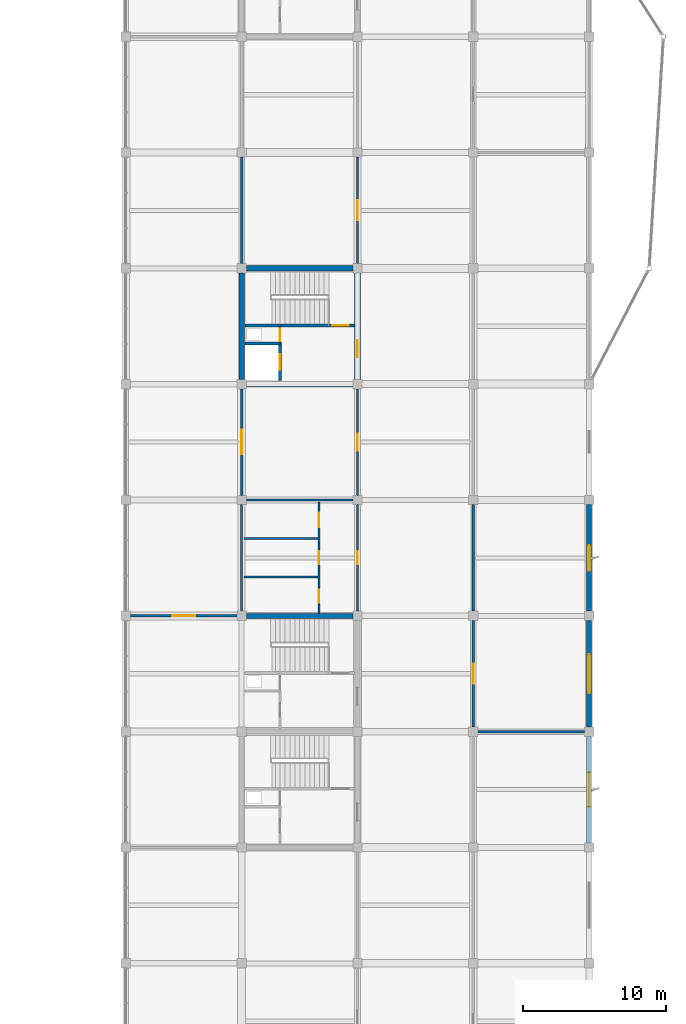
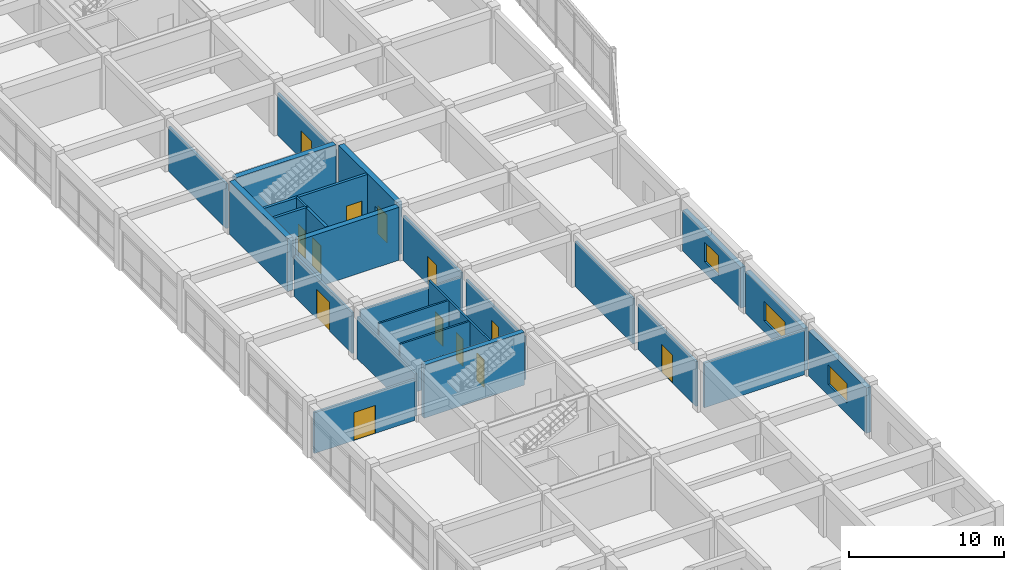
# One storey, part 30 of 40: 26 walls, 13 doors, 3 windows, 16 openings.
"""IFC4 building model written with IfcOpenShell, lengths in metres."""

from ifc_helpers import new_model, si_unit, direction, frame, frame_2d, origin, place, context, subcontext, project, spatial, rectangle, extrude, material, layer, layer_set, type_object, element, fill, save


model = new_model("IFC4")

# Units and contexts
model_context = context("Model", 3, precision=1e-05, world=origin(), true_north=direction((0.0, 1.0)))
body_context = subcontext(model_context, "Body", "Model", "MODEL_VIEW")
ifc_project = project(units=[si_unit("LENGTHUNIT", "METRE"), si_unit("AREAUNIT", "SQUARE_METRE"), si_unit("VOLUMEUNIT", "CUBIC_METRE"), si_unit("PLANEANGLEUNIT", "RADIAN"), si_unit("MASSUNIT", "GRAM", prefix="KILO")], contexts=[model_context])

# Site, building, storey
site_placement = place(None, origin())
site = spatial("IfcSite", under=ifc_project, at=site_placement, CompositionType="ELEMENT")
building_placement = place(site_placement, origin())
building = spatial("IfcBuilding", under=site, at=building_placement, Name="Vaudrelin Polytechnic", CompositionType="ELEMENT")
storey_placement = place(building_placement, frame((0.0, 0.0, 22.949951171875)))
storey = spatial("IfcBuildingStorey", under=building, at=storey_placement, Name="L05", CompositionType="ELEMENT", Elevation=22.949951171875)

# Wall, opening, window
ifc_material_1 = material(Name="Precast concrete 35 MPa with terracotta baguette screen", Category="masonry")
ifc_layer_1 = layer(ifc_material_1, 0.35009765625)
ifc_layer_set_1 = layer_set([ifc_layer_1], Name="Precast concrete 35 MPa with terracotta baguette screen")
wall_type_1 = type_object("IfcWallType", Name="WAL-EW-TERR350", PredefinedType="STANDARD", material=ifc_layer_set_1)
wall_1_placement = place(storey_placement, frame((170.10009765625, 32.722900390625, 0.0), z_axis=(0.0, 0.0, 1.0), x_axis=(0.0, 1.0, 0.0)))
wall_1 = element("IfcWall", 1, at=wall_1_placement, inside=storey, type_object=wall_type_1, Name="Exterior wall L05 E_V4_02", PredefinedType="STANDARD", context=body_context, shape_type="SweptSolid", body=[
    extrude(rectangle(XDim=7.4541015625, YDim=0.35009765625, at=frame_2d((3.72705078125, 0.0))), origin(), (0.0, 0.0, 1.0), 3.56201171875),
])
opening_1_placement = place(wall_1_placement, frame((2.527099609375, 0.0, 0.85009765625)))
opening_1 = element("IfcOpeningElement", 2, at=opening_1_placement, cuts=wall_1, Name="Opening W-L05-E-V4-03", PredefinedType="OPENING", context=body_context, shape_type="SweptSolid", body=[
    extrude(rectangle(XDim=2.39990234375, YDim=1.550048828125, at=frame_2d((1.199951171875, 0.77490234375))), frame((0.0, 0.18505859375, 0.0), z_axis=(0.0, -1.0, 0.0), x_axis=(1.0, 0.0, 0.0)), (0.0, 0.0, 1.0), 0.3701171875),
])
ifc_material_2 = material(Name="Thermally broken aluminium frame with triple low-e glazing", Category="aluminium")
window_type_1 = type_object("IfcWindowType", Name="WIN-WN-21", PartitioningType="SINGLE_PANEL", PredefinedType="WINDOW", material=ifc_material_2)
window_1_placement = place(opening_1_placement, origin())
window_1 = element("IfcWindow", 3, at=window_1_placement, inside=storey, type_object=window_type_1, Name="Facade window L05-E_V4_02", OverallHeight=1.550048828125, OverallWidth=2.39990234375, PartitioningType="SINGLE_PANEL", PredefinedType="WINDOW", context=body_context, shape_type="SweptSolid", body=[
    extrude(rectangle(XDim=2.39990234375, YDim=1.550048828125, at=frame_2d((1.199951171875, 0.77490234375))), frame((0.0, 0.030029296875, 0.0), z_axis=(0.0, -1.0, 0.0), x_axis=(1.0, 0.0, 0.0)), (0.0, 0.0, 1.0), 0.06005859375),
])
fill(opening_1, window_1)

wall_2_placement = place(storey_placement, frame((170.10009765625, 40.822998046875, 0.0), z_axis=(0.0, 0.0, 1.0), x_axis=(0.0, 1.0, 0.0)))
wall_2 = element("IfcWall", 4, at=wall_2_placement, inside=storey, type_object=wall_type_1, Name="Exterior wall L05 E_V4_03", PredefinedType="STANDARD", context=body_context, shape_type="SweptSolid", body=[
    extrude(rectangle(XDim=7.4541015625, YDim=0.35009765625, at=frame_2d((3.72705078125, 0.0))), origin(), (0.0, 0.0, 1.0), 3.31201171875),
])
opening_2_placement = place(wall_2_placement, frame((2.376953125, 0.0, 0.85009765625)))
opening_2 = element("IfcOpeningElement", 5, at=opening_2_placement, cuts=wall_2, Name="Opening W-L05-E-V4-04", PredefinedType="OPENING", context=body_context, shape_type="SweptSolid", body=[
    extrude(rectangle(XDim=2.699951171875, YDim=1.550048828125, at=frame_2d((1.35009765625, 0.77490234375))), frame((0.0, 0.18505859375, 0.0), z_axis=(0.0, -1.0, 0.0), x_axis=(1.0, 0.0, 0.0)), (0.0, 0.0, 1.0), 0.3701171875),
])
window_type_2 = type_object("IfcWindowType", Name="WIN-WN-22", PartitioningType="SINGLE_PANEL", PredefinedType="WINDOW", material=ifc_material_2)
window_2_placement = place(opening_2_placement, origin())
window_2 = element("IfcWindow", 6, at=window_2_placement, inside=storey, type_object=window_type_2, Name="Facade window L05-E_V4_03", OverallHeight=1.550048828125, OverallWidth=2.699951171875, PartitioningType="SINGLE_PANEL", PredefinedType="WINDOW", context=body_context, shape_type="SweptSolid", body=[
    extrude(rectangle(XDim=2.699951171875, YDim=1.550048828125, at=frame_2d((1.35009765625, 0.77490234375))), frame((0.0, 0.030029296875, 0.0), z_axis=(0.0, -1.0, 0.0), x_axis=(1.0, 0.0, 0.0)), (0.0, 0.0, 1.0), 0.06005859375),
])
fill(opening_2, window_2)

wall_3_placement = place(storey_placement, frame((170.10009765625, 48.923095703125, 0.0), z_axis=(0.0, 0.0, 1.0), x_axis=(0.0, 1.0, 0.0)))
wall_3 = element("IfcWall", 7, at=wall_3_placement, inside=storey, type_object=wall_type_1, Name="Exterior wall L05 E_V4_04", PredefinedType="STANDARD", context=body_context, shape_type="SweptSolid", body=[
    extrude(rectangle(XDim=7.453857421875, YDim=0.35009765625, at=frame_2d((3.72705078125, 0.0))), origin(), (0.0, 0.0, 1.0), 3.212158203125),
])
opening_3_placement = place(wall_3_placement, frame((2.826904296875, 0.0, 0.85009765625)))
opening_3 = element("IfcOpeningElement", 8, at=opening_3_placement, cuts=wall_3, Name="Opening W-L05-E-V4-05", PredefinedType="OPENING", context=body_context, shape_type="SweptSolid", body=[
    extrude(rectangle(XDim=1.800048828125, YDim=1.550048828125, at=frame_2d((0.89990234375, 0.77490234375))), frame((0.0, 0.18505859375, 0.0), z_axis=(0.0, -1.0, 0.0), x_axis=(1.0, 0.0, 0.0)), (0.0, 0.0, 1.0), 0.3701171875),
])
window_type_3 = type_object("IfcWindowType", Name="WIN-WN-23", PartitioningType="SINGLE_PANEL", PredefinedType="WINDOW", material=ifc_material_2)
window_3_placement = place(opening_3_placement, origin())
window_3 = element("IfcWindow", 9, at=window_3_placement, inside=storey, type_object=window_type_3, Name="Facade window L05-E_V4_04", OverallHeight=1.550048828125, OverallWidth=1.800048828125, PartitioningType="SINGLE_PANEL", PredefinedType="WINDOW", context=body_context, shape_type="SweptSolid", body=[
    extrude(rectangle(XDim=1.800048828125, YDim=1.550048828125, at=frame_2d((0.89990234375, 0.77490234375))), frame((0.0, 0.030029296875, 0.0), z_axis=(0.0, -1.0, 0.0), x_axis=(1.0, 0.0, 0.0)), (0.0, 0.0, 1.0), 0.06005859375),
])
fill(opening_3, window_3)

# Wall
ifc_material_3 = material(Name="Acoustic double-stud gypsum & mineral-wool partition", Category="gypsum")
ifc_layer_2 = layer(ifc_material_3, 0.179931640625)
ifc_layer_set_2 = layer_set([ifc_layer_2], Name="Acoustic double-stud gypsum & mineral-wool partition")
wall_type_2 = type_object("IfcWallType", Name="WAL-PW-AC180", PredefinedType="PARTITIONING", material=ifc_layer_set_2)
wall_4_placement = place(storey_placement, frame((162.322998046875, 40.5, 0.0), z_axis=(0.0, 0.0, 1.0), x_axis=(1.0, 0.0, 0.0)))
element("IfcWall", 10, at=wall_4_placement, inside=storey, type_object=wall_type_2, Name="Partition L05-014 N", PredefinedType="PARTITIONING", context=body_context, shape_type="SweptSolid", body=[
    extrude(rectangle(XDim=7.4541015625, YDim=0.179931640625, at=frame_2d((3.72705078125, 0.0))), origin(), (0.0, 0.0, 1.0), 3.511962890625),
])

# Wall, opening, door
ifc_material_4 = material(Name="Fire-rated steel-stud gypsum compartment wall", Category="steel")
ifc_layer_3 = layer(ifc_material_4, 0.14990234375)
ifc_layer_set_3 = layer_set([ifc_layer_3], Name="Fire-rated steel-stud gypsum compartment wall")
wall_type_3 = type_object("IfcWallType", Name="WAL-PW-FIRE60", PredefinedType="PARTITIONING", material=ifc_layer_set_3)
wall_5_placement = place(storey_placement, frame((148.47998046875, 67.64990234375, 0.0), z_axis=(0.0, 0.0, 1.0), x_axis=(0.0, 1.0, 0.0)))
wall_5 = element("IfcWall", 11, at=wall_5_placement, inside=storey, type_object=wall_type_3, Name="Core C7 riser enclosure wall L05", PredefinedType="PARTITIONING", context=body_context, shape_type="SweptSolid", body=[
    extrude(rectangle(XDim=1.260009765625, YDim=0.14990234375, at=frame_2d((0.6298828125, 0.0))), origin(), (0.0, 0.0, 1.0), 4.162109375),
])
opening_4_placement = place(wall_5_placement, frame((0.139892578125, 0.0, 0.0)))
opening_4 = element("IfcOpeningElement", 12, at=opening_4_placement, cuts=wall_5, Name="Opening D-L05-131", PredefinedType="OPENING", context=body_context, shape_type="SweptSolid", body=[
    extrude(rectangle(XDim=0.89990234375, YDim=2.14990234375, at=frame_2d((0.449951171875, 1.074951171875))), frame((0.0, 0.0849609375, 0.0), z_axis=(0.0, -1.0, 0.0), x_axis=(1.0, 0.0, 0.0)), (0.0, 0.0, 1.0), 0.169921875),
])
ifc_material_5 = material(Name="Pressed galvanised steel acoustic leaf", Category="steel")
door_type_1 = type_object("IfcDoorType", Name="DOR-ID-RSR1", OperationType="NOTDEFINED", PredefinedType="DOOR", material=ifc_material_5)
door_1_placement = place(opening_4_placement, origin())
door_1 = element("IfcDoor", 13, at=door_1_placement, inside=storey, type_object=door_type_1, Name="Core C7 riser access door L05", OperationType="SINGLE_SWING_RIGHT", OverallHeight=2.14990234375, OverallWidth=0.89990234375, PredefinedType="DOOR", context=body_context, shape_type="SweptSolid", body=[
    extrude(rectangle(XDim=0.89990234375, YDim=2.14990234375, at=frame_2d((0.449951171875, 1.074951171875))), frame((0.0, 0.02490234375, 0.0), z_axis=(0.0, -1.0, 0.0), x_axis=(1.0, 0.0, 0.0)), (0.0, 0.0, 1.0), 0.050048828125),
])
fill(opening_4, door_1)

ifc_material_6 = material(Name="Moisture- and chemical-resistant laboratory partition", Category="gypsum")
ifc_layer_4 = layer(ifc_material_6, 0.159912109375)
ifc_layer_set_4 = layer_set([ifc_layer_4], Name="Moisture- and chemical-resistant laboratory partition")
wall_type_4 = type_object("IfcWallType", Name="WAL-PW-LAB160", PredefinedType="PARTITIONING", material=ifc_layer_set_4)
wall_6_placement = place(storey_placement, frame((138.02294921875, 48.60009765625, 0.0), z_axis=(0.0, 0.0, 1.0), x_axis=(1.0, 0.0, 0.0)))
wall_6 = element("IfcWall", 14, at=wall_6_placement, inside=storey, type_object=wall_type_4, Name="Partition L05-008 N", PredefinedType="PARTITIONING", context=body_context, shape_type="SweptSolid", body=[
    extrude(rectangle(XDim=7.4541015625, YDim=0.159912109375, at=frame_2d((3.72705078125, 0.0))), origin(), (0.0, 0.0, 1.0), 3.212158203125),
])
opening_5_placement = place(wall_6_placement, frame((2.93701171875, 0.0, 0.0)))
opening_5 = element("IfcOpeningElement", 15, at=opening_5_placement, cuts=wall_6, Name="Opening D-L05-546", PredefinedType="OPENING", context=body_context, shape_type="SweptSolid", body=[
    extrude(rectangle(XDim=1.580078125, YDim=2.199951171875, at=frame_2d((0.7900390625, 1.10009765625))), frame((0.0, 0.08984375, 0.0), z_axis=(0.0, -1.0, 0.0), x_axis=(1.0, 0.0, 0.0)), (0.0, 0.0, 1.0), 0.179931640625),
])
door_type_2 = type_object("IfcDoorType", Name="DOR-ID-LAB3", OperationType="NOTDEFINED", PredefinedType="DOOR", material=ifc_material_5)
door_2_placement = place(opening_5_placement, origin())
door_2 = element("IfcDoor", 16, at=door_2_placement, inside=storey, type_object=door_type_2, Name="Solar Inverter Testing Laboratory door L05-008", OperationType="DOUBLE_SWING_LEFT", OverallHeight=2.199951171875, OverallWidth=1.580078125, PredefinedType="DOOR", context=body_context, shape_type="SweptSolid", body=[
    extrude(rectangle(XDim=1.580078125, YDim=2.199951171875, at=frame_2d((0.7900390625, 1.10009765625))), frame((0.0, 0.02490234375, 0.0), z_axis=(0.0, -1.0, 0.0), x_axis=(1.0, 0.0, 0.0)), (0.0, 0.0, 1.0), 0.050048828125),
])
fill(opening_5, door_2)

wall_7_placement = place(storey_placement, frame((145.800048828125, 57.02294921875, 0.0), z_axis=(0.0, 0.0, 1.0), x_axis=(0.0, 1.0, 0.0)))
wall_7 = element("IfcWall", 17, at=wall_7_placement, inside=storey, type_object=wall_type_4, Name="Partition L05-009 E", PredefinedType="PARTITIONING", context=body_context, shape_type="SweptSolid", body=[
    extrude(rectangle(XDim=7.4541015625, YDim=0.159912109375, at=frame_2d((3.72705078125, 0.0))), origin(), (0.0, 0.0, 1.0), 3.212158203125),
])
opening_6_placement = place(wall_7_placement, frame((2.866943359375, 0.0, 0.0)))
opening_6 = element("IfcOpeningElement", 18, at=opening_6_placement, cuts=wall_7, Name="Opening D-L05-547", PredefinedType="OPENING", context=body_context, shape_type="SweptSolid", body=[
    extrude(rectangle(XDim=1.719970703125, YDim=2.300048828125, at=frame_2d((0.85986328125, 1.14990234375))), frame((0.0, 0.08984375, 0.0), z_axis=(0.0, -1.0, 0.0), x_axis=(1.0, 0.0, 0.0)), (0.0, 0.0, 1.0), 0.179931640625),
])
door_type_3 = type_object("IfcDoorType", Name="DOR-ID-LAB5", OperationType="NOTDEFINED", PredefinedType="DOOR", material=ifc_material_5)
door_3_placement = place(opening_6_placement, origin())
door_3 = element("IfcDoor", 19, at=door_3_placement, inside=storey, type_object=door_type_3, Name="RF and Photonics Teaching Laboratory door L05-009", OperationType="DOUBLE_SWING_LEFT", OverallHeight=2.300048828125, OverallWidth=1.719970703125, PredefinedType="DOOR", context=body_context, shape_type="SweptSolid", body=[
    extrude(rectangle(XDim=1.719970703125, YDim=2.300048828125, at=frame_2d((0.85986328125, 1.14990234375))), frame((0.0, 0.02490234375, 0.0), z_axis=(0.0, -1.0, 0.0), x_axis=(1.0, 0.0, 0.0)), (0.0, 0.0, 1.0), 0.050048828125),
])
fill(opening_6, door_3)

# Wall
wall_8_placement = place(storey_placement, frame((145.800048828125, 73.222900390625, 0.0), z_axis=(0.0, 0.0, 1.0), x_axis=(0.0, 1.0, 0.0)))
element("IfcWall", 20, at=wall_8_placement, inside=storey, type_object=wall_type_4, Name="Partition L05-009 E", PredefinedType="PARTITIONING", context=body_context, shape_type="SweptSolid", body=[
    extrude(rectangle(XDim=7.4541015625, YDim=0.159912109375, at=frame_2d((3.72705078125, 0.0))), origin(), (0.0, 0.0, 1.0), 3.511962890625),
])

# Wall, opening, door
wall_9_placement = place(storey_placement, frame((153.89990234375, 57.02294921875, 0.0), z_axis=(0.0, 0.0, 1.0), x_axis=(0.0, 1.0, 0.0)))
wall_9 = element("IfcWall", 21, at=wall_9_placement, inside=storey, type_object=wall_type_4, Name="Partition L05-022 E", PredefinedType="PARTITIONING", context=body_context, shape_type="SweptSolid", body=[
    extrude(rectangle(XDim=7.4541015625, YDim=0.159912109375, at=frame_2d((3.72705078125, 0.0))), origin(), (0.0, 0.0, 1.0), 3.511962890625),
])
opening_7_placement = place(wall_9_placement, frame((3.126953125, 0.0, 0.0)))
opening_7 = element("IfcOpeningElement", 22, at=opening_7_placement, cuts=wall_9, Name="Opening D-L05-559", PredefinedType="OPENING", context=body_context, shape_type="SweptSolid", body=[
    extrude(rectangle(XDim=1.199951171875, YDim=2.199951171875, at=frame_2d((0.60009765625, 1.10009765625))), frame((0.0, 0.08984375, 0.0), z_axis=(0.0, -1.0, 0.0), x_axis=(1.0, 0.0, 0.0)), (0.0, 0.0, 1.0), 0.179931640625),
])
door_type_4 = type_object("IfcDoorType", Name="DOR-ID-LAB2", OperationType="NOTDEFINED", PredefinedType="DOOR", material=ifc_material_5)
door_4_placement = place(opening_7_placement, origin())
door_4 = element("IfcDoor", 23, at=door_4_placement, inside=storey, type_object=door_type_4, Name="Photonics Clean Bench Room door L05-022", OperationType="SINGLE_SWING_RIGHT", OverallHeight=2.199951171875, OverallWidth=1.199951171875, PredefinedType="DOOR", context=body_context, shape_type="SweptSolid", body=[
    extrude(rectangle(XDim=1.199951171875, YDim=2.199951171875, at=frame_2d((0.60009765625, 1.10009765625))), frame((0.0, 0.02490234375, 0.0), z_axis=(0.0, -1.0, 0.0), x_axis=(1.0, 0.0, 0.0)), (0.0, 0.0, 1.0), 0.050048828125),
])
fill(opening_7, door_4)

ifc_material_7 = material(Name="Pin-up plywood & acoustic gypsum studio partition", Category="wood")
ifc_layer_5 = layer(ifc_material_7, 0.14990234375)
ifc_layer_set_5 = layer_set([ifc_layer_5], Name="Pin-up plywood & acoustic gypsum studio partition")
wall_type_5 = type_object("IfcWallType", Name="WAL-PW-STU150", PredefinedType="PARTITIONING", material=ifc_layer_set_5)
wall_10_placement = place(storey_placement, frame((153.89990234375, 73.222900390625, 0.0), z_axis=(0.0, 0.0, 1.0), x_axis=(0.0, 1.0, 0.0)))
wall_10 = element("IfcWall", 24, at=wall_10_placement, inside=storey, type_object=wall_type_5, Name="Partition L05-010 E", PredefinedType="PARTITIONING", context=body_context, shape_type="SweptSolid", body=[
    extrude(rectangle(XDim=7.4541015625, YDim=0.14990234375, at=frame_2d((3.72705078125, 0.0))), origin(), (0.0, 0.0, 1.0), 3.31201171875),
])
opening_8_placement = place(wall_10_placement, frame((3.027099609375, 0.0, 0.0)))
opening_8 = element("IfcOpeningElement", 25, at=opening_8_placement, cuts=wall_10, Name="Opening D-L05-548", PredefinedType="OPENING", context=body_context, shape_type="SweptSolid", body=[
    extrude(rectangle(XDim=1.39990234375, YDim=2.199951171875, at=frame_2d((0.699951171875, 1.10009765625))), frame((0.0, 0.0849609375, 0.0), z_axis=(0.0, -1.0, 0.0), x_axis=(1.0, 0.0, 0.0)), (0.0, 0.0, 1.0), 0.169921875),
])
ifc_material_8 = material(Name="Solid-core birch veneer acoustic leaf", Category="wood")
door_type_5 = type_object("IfcDoorType", Name="DOR-ID-STU1", OperationType="NOTDEFINED", PredefinedType="DOOR", material=ifc_material_8)
door_5_placement = place(opening_8_placement, origin())
door_5 = element("IfcDoor", 26, at=door_5_placement, inside=storey, type_object=door_type_5, Name="Antenna Chamber Control Studio door L05-010", OperationType="DOUBLE_SWING_LEFT", OverallHeight=2.199951171875, OverallWidth=1.39990234375, PredefinedType="DOOR", context=body_context, shape_type="SweptSolid", body=[
    extrude(rectangle(XDim=1.39990234375, YDim=2.199951171875, at=frame_2d((0.699951171875, 1.10009765625))), frame((0.0, 0.02490234375, 0.0), z_axis=(0.0, -1.0, 0.0), x_axis=(1.0, 0.0, 0.0)), (0.0, 0.0, 1.0), 0.050048828125),
])
fill(opening_8, door_5)

wall_11_placement = place(storey_placement, frame((162.0, 40.822998046875, 0.0), z_axis=(0.0, 0.0, 1.0), x_axis=(0.0, 1.0, 0.0)))
wall_11 = element("IfcWall", 27, at=wall_11_placement, inside=storey, type_object=wall_type_5, Name="Partition L05-015 W", PredefinedType="PARTITIONING", context=body_context, shape_type="SweptSolid", body=[
    extrude(rectangle(XDim=7.4541015625, YDim=0.14990234375, at=frame_2d((3.72705078125, 0.0))), origin(), (0.0, 0.0, 1.0), 3.511962890625),
])
opening_9_placement = place(wall_11_placement, frame((3.027099609375, 0.0, 0.0)))
opening_9 = element("IfcOpeningElement", 28, at=opening_9_placement, cuts=wall_11, Name="Opening D-L05-552", PredefinedType="OPENING", context=body_context, shape_type="SweptSolid", body=[
    extrude(rectangle(XDim=1.39990234375, YDim=2.199951171875, at=frame_2d((0.699951171875, 1.10009765625))), frame((0.0, 0.0849609375, 0.0), z_axis=(0.0, -1.0, 0.0), x_axis=(1.0, 0.0, 0.0)), (0.0, 0.0, 1.0), 0.169921875),
])
door_6_placement = place(opening_9_placement, origin())
door_6 = element("IfcDoor", 29, at=door_6_placement, inside=storey, type_object=door_type_5, Name="Graduate Research Studio door L05-015", OperationType="DOUBLE_SWING_LEFT", OverallHeight=2.199951171875, OverallWidth=1.39990234375, PredefinedType="DOOR", context=body_context, shape_type="SweptSolid", body=[
    extrude(rectangle(XDim=1.39990234375, YDim=2.199951171875, at=frame_2d((0.699951171875, 1.10009765625))), frame((0.0, 0.02490234375, 0.0), z_axis=(0.0, -1.0, 0.0), x_axis=(1.0, 0.0, 0.0)), (0.0, 0.0, 1.0), 0.050048828125),
])
fill(opening_9, door_6)

# Walls
wall_12_placement = place(storey_placement, frame((162.0, 48.923095703125, 0.0), z_axis=(0.0, 0.0, 1.0), x_axis=(0.0, 1.0, 0.0)))
element("IfcWall", 30, at=wall_12_placement, inside=storey, type_object=wall_type_5, Name="Partition L05-015 W", PredefinedType="PARTITIONING", context=body_context, shape_type="SweptSolid", body=[
    extrude(rectangle(XDim=7.453857421875, YDim=0.14990234375, at=frame_2d((3.72705078125, 0.0))), origin(), (0.0, 0.0, 1.0), 3.56201171875),
])
ifc_material_9 = material(Name="Cement-board tiled wet-wall washroom partition", Category="gypsum")
ifc_layer_6 = layer(ifc_material_9, 0.139892578125)
ifc_layer_set_6 = layer_set([ifc_layer_6], Name="Cement-board tiled wet-wall washroom partition")
wall_type_6 = type_object("IfcWallType", Name="WAL-PW-WC140", PredefinedType="PARTITIONING", material=ifc_layer_set_6)
wall_13_placement = place(storey_placement, frame((146.123046875, 56.699951171875, 0.0), z_axis=(0.0, 0.0, 1.0), x_axis=(1.0, 0.0, 0.0)))
element("IfcWall", 31, at=wall_13_placement, inside=storey, type_object=wall_type_6, Name="Washroom enclosure wall L05-18-6-N", PredefinedType="PARTITIONING", context=body_context, shape_type="SweptSolid", body=[
    extrude(rectangle(XDim=7.453857421875, YDim=0.139892578125, at=frame_2d((3.72705078125, 0.0))), origin(), (0.0, 0.0, 1.0), 3.510009765625),
])
wall_14_placement = place(storey_placement, frame((145.800048828125, 48.923095703125, 0.0), z_axis=(0.0, 0.0, 1.0), x_axis=(0.0, 1.0, 0.0)))
element("IfcWall", 32, at=wall_14_placement, inside=storey, type_object=wall_type_6, Name="Washroom enclosure wall L05-18-6-W", PredefinedType="PARTITIONING", context=body_context, shape_type="SweptSolid", body=[
    extrude(rectangle(XDim=7.453857421875, YDim=0.139892578125, at=frame_2d((3.72705078125, 0.0))), origin(), (0.0, 0.0, 1.0), 3.31005859375),
])

# Wall, opening, door
wall_15_placement = place(storey_placement, frame((153.89990234375, 48.923095703125, 0.0), z_axis=(0.0, 0.0, 1.0), x_axis=(0.0, 1.0, 0.0)))
wall_15 = element("IfcWall", 33, at=wall_15_placement, inside=storey, type_object=wall_type_6, Name="Washroom enclosure wall L05-18-6-E", PredefinedType="PARTITIONING", context=body_context, shape_type="SweptSolid", body=[
    extrude(rectangle(XDim=7.453857421875, YDim=0.139892578125, at=frame_2d((3.72705078125, 0.0))), origin(), (0.0, 0.0, 1.0), 3.41015625),
])
opening_10_placement = place(wall_15_placement, frame((3.26708984375, 0.0, 0.0)))
opening_10 = element("IfcOpeningElement", 34, at=opening_10_placement, cuts=wall_15, Name="Opening D-L05-381", PredefinedType="OPENING", context=body_context, shape_type="SweptSolid", body=[
    extrude(rectangle(XDim=0.919921875, YDim=2.14990234375, at=frame_2d((0.4599609375, 1.074951171875))), frame((0.0, 0.080078125, 0.0), z_axis=(0.0, -1.0, 0.0), x_axis=(1.0, 0.0, 0.0)), (0.0, 0.0, 1.0), 0.159912109375),
])
door_type_6 = type_object("IfcDoorType", Name="DOR-ID-WC1", OperationType="NOTDEFINED", PredefinedType="DOOR", material=ifc_material_8)
door_7_placement = place(opening_10_placement, origin())
door_7 = element("IfcDoor", 35, at=door_7_placement, inside=storey, type_object=door_type_6, Name="Washroom vestibule door L05-18-6-E", OperationType="SINGLE_SWING_LEFT", OverallHeight=2.14990234375, OverallWidth=0.919921875, PredefinedType="DOOR", context=body_context, shape_type="SweptSolid", body=[
    extrude(rectangle(XDim=0.919921875, YDim=2.14990234375, at=frame_2d((0.4599609375, 1.074951171875))), frame((0.0, 0.02490234375, 0.0), z_axis=(0.0, -1.0, 0.0), x_axis=(1.0, 0.0, 0.0)), (0.0, 0.0, 1.0), 0.050048828125),
])
fill(opening_10, door_7)

# Wall, openings, doors
wall_16_placement = place(storey_placement, frame((151.199951171875, 48.75, 0.0), z_axis=(0.0, 0.0, 1.0), x_axis=(0.0, 1.0, 0.0)))
wall_16 = element("IfcWall", 36, at=wall_16_placement, inside=storey, type_object=wall_type_6, Name="Washroom vestibule divider L05-18-6", PredefinedType="PARTITIONING", context=body_context, shape_type="SweptSolid", body=[
    extrude(rectangle(XDim=7.800048828125, YDim=0.139892578125, at=frame_2d((3.89990234375, 0.0))), origin(), (0.0, 0.0, 1.0), 4.162109375),
])
opening_11_placement = place(wall_16_placement, frame((0.75, 0.0, 0.0)))
opening_11 = element("IfcOpeningElement", 37, at=opening_11_placement, cuts=wall_16, Name="Opening D-L05-382", PredefinedType="OPENING", context=body_context, shape_type="SweptSolid", body=[
    extrude(rectangle(XDim=0.919921875, YDim=2.14990234375, at=frame_2d((0.4599609375, 1.074951171875))), frame((0.0, 0.080078125, 0.0), z_axis=(0.0, -1.0, 0.0), x_axis=(1.0, 0.0, 0.0)), (0.0, 0.0, 1.0), 0.159912109375),
])
opening_12_placement = place(wall_16_placement, frame((3.43994140625, 0.0, 0.0)))
opening_12 = element("IfcOpeningElement", 38, at=opening_12_placement, cuts=wall_16, Name="Opening D-L05-383", PredefinedType="OPENING", context=body_context, shape_type="SweptSolid", body=[
    extrude(rectangle(XDim=0.919921875, YDim=2.14990234375, at=frame_2d((0.4599609375, 1.074951171875))), frame((0.0, 0.080078125, 0.0), z_axis=(0.0, -1.0, 0.0), x_axis=(1.0, 0.0, 0.0)), (0.0, 0.0, 1.0), 0.159912109375),
])
opening_13_placement = place(wall_16_placement, frame((6.050048828125, 0.0, 0.0)))
opening_13 = element("IfcOpeningElement", 39, at=opening_13_placement, cuts=wall_16, Name="Opening D-L05-384", PredefinedType="OPENING", context=body_context, shape_type="SweptSolid", body=[
    extrude(rectangle(XDim=1.0, YDim=2.14990234375, at=frame_2d((0.5, 1.074951171875))), frame((0.0, 0.080078125, 0.0), z_axis=(0.0, -1.0, 0.0), x_axis=(1.0, 0.0, 0.0)), (0.0, 0.0, 1.0), 0.159912109375),
])
door_type_7 = type_object("IfcDoorType", Name="DOR-ID-AWC1", OperationType="NOTDEFINED", PredefinedType="DOOR", material=ifc_material_8)
door_8_placement = place(opening_13_placement, origin())
door_8 = element("IfcDoor", 40, at=door_8_placement, inside=storey, type_object=door_type_7, Name="Washroom stall-room door L05-18-6-3", OperationType="SINGLE_SWING_LEFT", OverallHeight=2.14990234375, OverallWidth=1.0, PredefinedType="DOOR", context=body_context, shape_type="SweptSolid", body=[
    extrude(rectangle(XDim=1.0, YDim=2.14990234375, at=frame_2d((0.5, 1.074951171875))), frame((0.0, 0.02490234375, 0.0), z_axis=(0.0, -1.0, 0.0), x_axis=(1.0, 0.0, 0.0)), (0.0, 0.0, 1.0), 0.050048828125),
])
fill(opening_13, door_8)
door_9_placement = place(opening_11_placement, origin())
door_9 = element("IfcDoor", 41, at=door_9_placement, inside=storey, type_object=door_type_6, Name="Washroom stall-room door L05-18-6-1", OperationType="SINGLE_SWING_LEFT", OverallHeight=2.14990234375, OverallWidth=0.919921875, PredefinedType="DOOR", context=body_context, shape_type="SweptSolid", body=[
    extrude(rectangle(XDim=0.919921875, YDim=2.14990234375, at=frame_2d((0.4599609375, 1.074951171875))), frame((0.0, 0.02490234375, 0.0), z_axis=(0.0, -1.0, 0.0), x_axis=(1.0, 0.0, 0.0)), (0.0, 0.0, 1.0), 0.050048828125),
])
fill(opening_11, door_9)
door_10_placement = place(opening_12_placement, origin())
door_10 = element("IfcDoor", 42, at=door_10_placement, inside=storey, type_object=door_type_6, Name="Washroom stall-room door L05-18-6-2", OperationType="SINGLE_SWING_RIGHT", OverallHeight=2.14990234375, OverallWidth=0.919921875, PredefinedType="DOOR", context=body_context, shape_type="SweptSolid", body=[
    extrude(rectangle(XDim=0.919921875, YDim=2.14990234375, at=frame_2d((0.4599609375, 1.074951171875))), frame((0.0, 0.02490234375, 0.0), z_axis=(0.0, -1.0, 0.0), x_axis=(1.0, 0.0, 0.0)), (0.0, 0.0, 1.0), 0.050048828125),
])
fill(opening_12, door_10)

# Walls
for number, where, z_axis, x_axis, name in (
    (43, (145.949951171875, 51.300048828125, 0.0), (0.0, 0.0, 1.0), (1.0, 0.0, 0.0), "Washroom separation wall L05-18-6-1"),
    (44, (145.949951171875, 54.0, 0.0), (0.0, 0.0, 1.0), (1.0, 0.0, 0.0), "Washroom separation wall L05-18-6-2"),
):
    element("IfcWall", number, at=place(storey_placement, frame(where, z_axis=z_axis, x_axis=x_axis)), inside=storey, type_object=wall_type_6, Name=name, PredefinedType="PARTITIONING", context=body_context, shape_type="SweptSolid", body=[
        extrude(rectangle(XDim=5.179931640625, YDim=0.139892578125, at=frame_2d((2.58984375, 0.0))), origin(), (0.0, 0.0, 1.0), 4.162109375),
    ])

# Wall, opening, door
ifc_material_10 = material(Name="Concrete 40 MPa", Category="concrete")
ifc_layer_7 = layer(ifc_material_10, 0.199951171875)
ifc_layer_set_7 = layer_set([ifc_layer_7], Name="Concrete 40 MPa")
wall_type_7 = type_object("IfcWallType", Name="WAL-SW-CORE200", PredefinedType="SHEAR", material=ifc_layer_set_7)
wall_17_placement = place(storey_placement, frame((146.02001953125, 68.909912109375, 0.0), z_axis=(0.0, 0.0, 1.0), x_axis=(1.0, 0.0, 0.0)))
wall_17 = element("IfcWall", 45, at=wall_17_placement, inside=storey, type_object=wall_type_7, Name="Core C7 stair enclosure wall L05", PredefinedType="SHEAR", context=body_context, shape_type="SweptSolid", body=[
    extrude(rectangle(XDim=7.659912109375, YDim=0.199951171875, at=frame_2d((3.830078125, 0.0))), origin(), (0.0, 0.0, 1.0), 4.162109375),
])
opening_14_placement = place(wall_17_placement, frame((6.110107421875, 0.0, 0.0)))
opening_14 = element("IfcOpeningElement", 46, at=opening_14_placement, cuts=wall_17, Name="Opening D-L05-130", PredefinedType="OPENING", context=body_context, shape_type="SweptSolid", body=[
    extrude(rectangle(XDim=1.14990234375, YDim=2.199951171875, at=frame_2d((0.574951171875, 1.10009765625))), frame((0.0, 0.10986328125, 0.0), z_axis=(0.0, -1.0, 0.0), x_axis=(1.0, 0.0, 0.0)), (0.0, 0.0, 1.0), 0.219970703125),
])
door_type_8 = type_object("IfcDoorType", Name="DOR-ID-ST1", OperationType="NOTDEFINED", PredefinedType="DOOR", material=ifc_material_5)
door_11_placement = place(opening_14_placement, origin())
door_11 = element("IfcDoor", 47, at=door_11_placement, inside=storey, type_object=door_type_8, Name="Core C7 exit stair door L05", OperationType="SINGLE_SWING_LEFT", OverallHeight=2.199951171875, OverallWidth=1.14990234375, PredefinedType="DOOR", context=body_context, shape_type="SweptSolid", body=[
    extrude(rectangle(XDim=1.14990234375, YDim=2.199951171875, at=frame_2d((0.574951171875, 1.10009765625))), frame((0.0, 0.02490234375, 0.0), z_axis=(0.0, -1.0, 0.0), x_axis=(1.0, 0.0, 0.0)), (0.0, 0.0, 1.0), 0.050048828125),
])
fill(opening_14, door_11)

wall_18_placement = place(storey_placement, frame((148.47998046875, 65.050048828125, 0.0), z_axis=(0.0, 0.0, 1.0), x_axis=(0.0, 1.0, 0.0)))
wall_18 = element("IfcWall", 48, at=wall_18_placement, inside=storey, type_object=wall_type_7, Name="Lift LF-07 shaft front wall L05", PredefinedType="SHEAR", context=body_context, shape_type="SweptSolid", body=[
    extrude(rectangle(XDim=2.599853515625, YDim=0.199951171875, at=frame_2d((1.2998046875, 0.0))), origin(), (0.0, 0.0, 1.0), 4.162109375),
])
opening_15_placement = place(wall_18_placement, frame((0.75, 0.0, 0.0)))
opening_15 = element("IfcOpeningElement", 49, at=opening_15_placement, cuts=wall_18, Name="Opening LD-LF-07-L05", PredefinedType="OPENING", context=body_context, shape_type="SweptSolid", body=[
    extrude(rectangle(XDim=1.10009765625, YDim=2.199951171875, at=frame_2d((0.550048828125, 1.10009765625))), frame((0.0, 0.10986328125, 0.0), z_axis=(0.0, -1.0, 0.0), x_axis=(1.0, 0.0, 0.0)), (0.0, 0.0, 1.0), 0.219970703125),
])
ifc_material_11 = material(Name="Brushed stainless steel AISI 304", Category="steel")
door_type_9 = type_object("IfcDoorType", Name="DOR-LD-PAX", OperationType="SLIDING_TO_LEFT", PredefinedType="DOOR", material=ifc_material_11)
door_12_placement = place(opening_15_placement, origin())
door_12 = element("IfcDoor", 50, at=door_12_placement, inside=storey, type_object=door_type_9, Name="Lift LF-07 landing door L05", OperationType="SLIDING_TO_LEFT", OverallHeight=2.199951171875, OverallWidth=1.10009765625, PredefinedType="DOOR", context=body_context, shape_type="SweptSolid", body=[
    extrude(rectangle(XDim=1.10009765625, YDim=2.199951171875, at=frame_2d((0.550048828125, 1.10009765625))), frame((0.0, 0.02490234375, 0.0), z_axis=(0.0, -1.0, 0.0), x_axis=(1.0, 0.0, 0.0)), (0.0, 0.0, 1.0), 0.050048828125),
])
fill(opening_15, door_12)

# Walls
wall_19_placement = place(storey_placement, frame((146.02001953125, 67.64990234375, 0.0), z_axis=(0.0, 0.0, 1.0), x_axis=(1.0, 0.0, 0.0)))
element("IfcWall", 51, at=wall_19_placement, inside=storey, type_object=wall_type_7, Name="Lift LF-07 shaft north wall L05", PredefinedType="SHEAR", context=body_context, shape_type="SweptSolid", body=[
    extrude(rectangle(XDim=2.56005859375, YDim=0.199951171875, at=frame_2d((1.280029296875, 0.0))), origin(), (0.0, 0.0, 1.0), 4.162109375),
])
ifc_material_12 = material(Name="Concrete 50 MPa", Category="concrete")
ifc_layer_8 = layer(ifc_material_12, 0.35009765625)
ifc_layer_set_8 = layer_set([ifc_layer_8], Name="Concrete 50 MPa")
wall_type_8 = type_object("IfcWallType", Name="WAL-SW-CORE350", PredefinedType="SHEAR", material=ifc_layer_set_8)
wall_20_placement = place(storey_placement, frame((146.123046875, 48.60009765625, 0.0), z_axis=(0.0, 0.0, 1.0), x_axis=(1.0, 0.0, 0.0)))
element("IfcWall", 52, at=wall_20_placement, inside=storey, type_object=wall_type_8, Name="Core C12 N shear wall L05", PredefinedType="SHEAR", context=body_context, shape_type="SweptSolid", body=[
    extrude(rectangle(XDim=7.453857421875, YDim=0.35009765625, at=frame_2d((3.72705078125, 0.0))), origin(), (0.0, 0.0, 1.0), 4.162109375),
])
ifc_layer_9 = layer(ifc_material_12, 0.39990234375)
ifc_layer_set_9 = layer_set([ifc_layer_9], Name="Concrete 50 MPa")
wall_type_9 = type_object("IfcWallType", Name="WAL-SW-CORE400", PredefinedType="SHEAR", material=ifc_layer_set_9)
for number, where, z_axis, x_axis, name in (
    (53, (146.123046875, 72.89990234375, 0.0), (0.0, 0.0, 1.0), (1.0, 0.0, 0.0), "Core C7 N shear wall L05"),
    (54, (145.800048828125, 65.123046875, 0.0), (0.0, 0.0, 1.0), (0.0, 1.0, 0.0), "Core C7 W shear wall L05"),
):
    element("IfcWall", number, at=place(storey_placement, frame(where, z_axis=z_axis, x_axis=x_axis)), inside=storey, type_object=wall_type_9, Name=name, PredefinedType="SHEAR", context=body_context, shape_type="SweptSolid", body=[
        extrude(rectangle(XDim=7.453857421875, YDim=0.39990234375, at=frame_2d((3.72705078125, 0.0))), origin(), (0.0, 0.0, 1.0), 4.162109375),
    ])

# Wall, opening, door
wall_21_placement = place(storey_placement, frame((153.89990234375, 65.123046875, 0.0), z_axis=(0.0, 0.0, 1.0), x_axis=(0.0, 1.0, 0.0)))
wall_21 = element("IfcWall", 55, at=wall_21_placement, inside=storey, type_object=wall_type_9, Name="Core C7 E shear wall L05", PredefinedType="SHEAR", context=body_context, shape_type="SweptSolid", body=[
    extrude(rectangle(XDim=7.453857421875, YDim=0.39990234375, at=frame_2d((3.72705078125, 0.0))), origin(), (0.0, 0.0, 1.0), 4.162109375),
])
opening_16_placement = place(wall_21_placement, frame((1.550048828125, 0.0, 0.0)))
opening_16 = element("IfcOpeningElement", 56, at=opening_16_placement, cuts=wall_21, Name="Opening D-L05-129", PredefinedType="OPENING", context=body_context, shape_type="SweptSolid", body=[
    extrude(rectangle(XDim=1.199951171875, YDim=2.199951171875, at=frame_2d((0.60009765625, 1.10009765625))), frame((0.0, 0.2099609375, 0.0), z_axis=(0.0, -1.0, 0.0), x_axis=(1.0, 0.0, 0.0)), (0.0, 0.0, 1.0), 0.419921875),
])
door_type_10 = type_object("IfcDoorType", Name="DOR-ID-LB1", OperationType="NOTDEFINED", PredefinedType="DOOR", material=ifc_material_5)
door_13_placement = place(opening_16_placement, origin())
door_13 = element("IfcDoor", 57, at=door_13_placement, inside=storey, type_object=door_type_10, Name="Core C7 lobby fire door L05", OperationType="SINGLE_SWING_RIGHT", OverallHeight=2.199951171875, OverallWidth=1.199951171875, PredefinedType="DOOR", context=body_context, shape_type="SweptSolid", body=[
    extrude(rectangle(XDim=1.199951171875, YDim=2.199951171875, at=frame_2d((0.60009765625, 1.10009765625))), frame((0.0, 0.02490234375, 0.0), z_axis=(0.0, -1.0, 0.0), x_axis=(1.0, 0.0, 0.0)), (0.0, 0.0, 1.0), 0.050048828125),
])
fill(opening_16, door_13)

# Wall
wall_22_placement = place(storey_placement, frame((146.123046875, 64.800048828125, 0.0), z_axis=(0.0, 0.0, 1.0), x_axis=(1.0, 0.0, 0.0)))
element("IfcWall", 58, at=wall_22_placement, inside=storey, type_object=wall_type_9, Name="Core C7 S shear wall L05", PredefinedType="SHEAR", context=body_context, shape_type="SweptSolid", body=[
    extrude(rectangle(XDim=7.453857421875, YDim=0.39990234375, at=frame_2d((3.72705078125, 0.0))), origin(), (0.0, 0.0, 1.0), 4.162109375),
])

save(model, "model.ifc")
